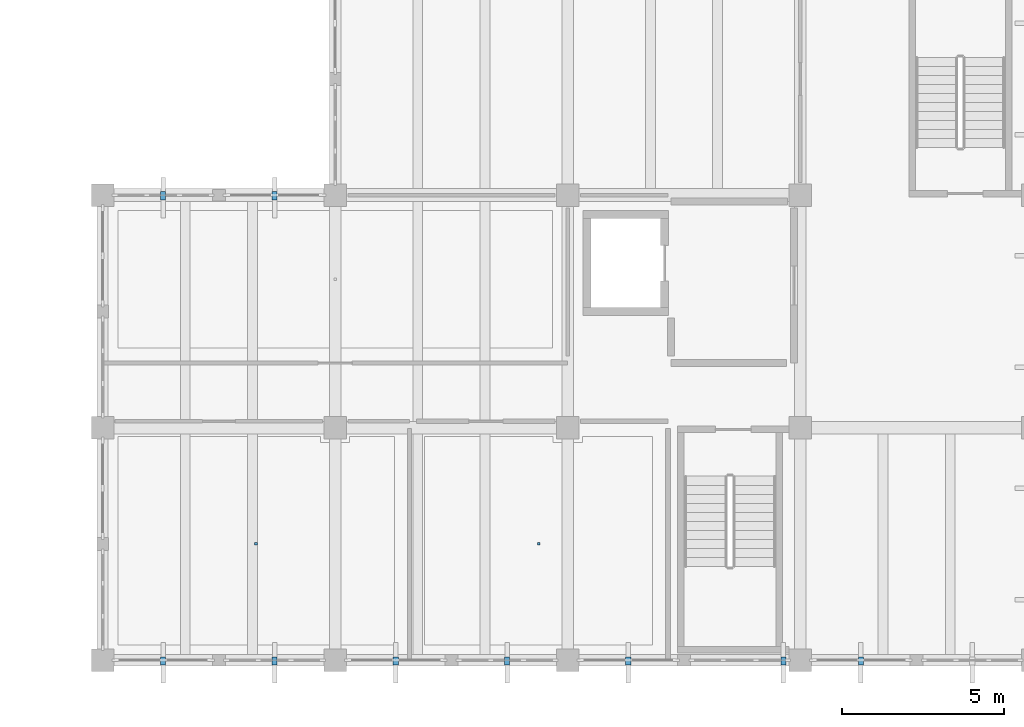
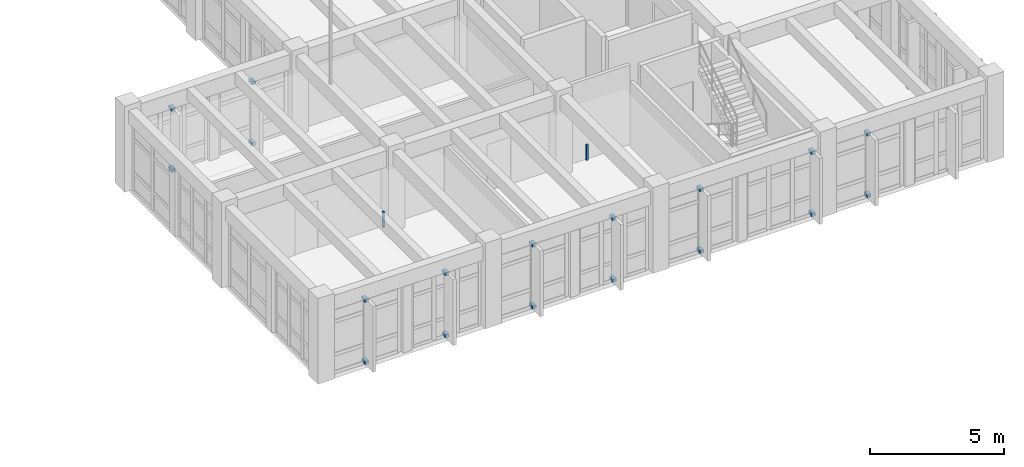
# One storey, part 49 of 54: 20 discrete accessories.
"""IFC4 building model written with IfcOpenShell, lengths in metres."""

from ifc_helpers import new_model, si_unit, direction, frame, origin, origin_2d, place, context, subcontext, project, spatial, rectangle, extrude, material, type_object, element, save


model = new_model("IFC4")

# Units and contexts
model_context = context("Model", 3, precision=1e-05, world=origin(), true_north=direction((0.0, 1.0)))
body_context = subcontext(model_context, "Body", "Model", "MODEL_VIEW")
ifc_project = project(units=[si_unit("LENGTHUNIT", "METRE"), si_unit("AREAUNIT", "SQUARE_METRE"), si_unit("VOLUMEUNIT", "CUBIC_METRE"), si_unit("PLANEANGLEUNIT", "RADIAN"), si_unit("MASSUNIT", "GRAM", prefix="KILO")], contexts=[model_context])

# Site, building, storey
site_placement = place(None, origin())
site = spatial("IfcSite", under=ifc_project, at=site_placement, CompositionType="ELEMENT")
building_placement = place(site_placement, origin())
building = spatial("IfcBuilding", under=site, at=building_placement, Name="Koriwan Promenade Central Fire Station", CompositionType="ELEMENT")
storey_placement = place(building_placement, frame((0.0, 0.0, 9.60009765625)))
storey = spatial("IfcBuildingStorey", under=building, at=storey_placement, Name="L02", CompositionType="ELEMENT", Elevation=9.60009765625)

# Discrete accessories
ifc_material = material(Name="Steel ASTM A572 Grade 50", Category="steel")
discrete_accessory_type_1 = type_object("IfcDiscreteAccessoryType", Name="CeilingHanger_Bracket", PredefinedType="BRACKET", material=ifc_material)
discrete_accessory_1_placement = place(storey_placement, frame((148.75, 3.610107421875, 2.955078125), z_axis=(0.0, 0.0, 1.0), x_axis=(1.0, 0.0, 0.0)))
element("IfcDiscreteAccessory", 1, at=discrete_accessory_1_placement, inside=storey, type_object=discrete_accessory_type_1, Name="Operations Directorate Office acoustic ceiling seismic hanger", PredefinedType="BRACKET", context=body_context, shape_type="SweptSolid", body=[
    extrude(rectangle(XDim=0.080078125, YDim=0.080078125, at=origin_2d()), origin(), (0.0, 0.0, 1.0), 0.719970703125),
])
discrete_accessory_2_placement = place(storey_placement, frame((157.5, 3.610107421875, 2.954833984375), z_axis=(0.0, 0.0, 1.0), x_axis=(1.0, 0.0, 0.0)))
element("IfcDiscreteAccessory", 2, at=discrete_accessory_2_placement, inside=storey, type_object=discrete_accessory_type_1, Name="Multi-Agency Coordination Briefing Room acoustic ceiling seismic hanger", PredefinedType="BRACKET", context=body_context, shape_type="SweptSolid", body=[
    extrude(rectangle(XDim=0.080078125, YDim=0.080078125, at=origin_2d()), origin(), (0.0, 0.0, 1.0), 0.7099609375),
])
discrete_accessory_type_2 = type_object("IfcDiscreteAccessoryType", Name="FacadeBracket_Fin", PredefinedType="BRACKET", material=ifc_material)
for number, where, z_axis, x_axis, name in (
    (3, (167.47509765625, -0.02001953125, 0.02001953125), (0.0, 0.0, 1.0), (0.0, -1.0, 0.0), "Solar fin outrigger bracket 060-BOT"),
    (4, (167.47509765625, -0.02001953125, 2.830078125), (0.0, 0.0, 1.0), (0.0, -1.0, 0.0), "Solar fin outrigger bracket 060-TOP"),
    (5, (165.080078125, -0.02001953125, 0.02001953125), (0.0, 0.0, 1.0), (0.0, -1.0, 0.0), "Solar fin outrigger bracket 061-BOT"),
    (6, (165.080078125, -0.02001953125, 2.830078125), (0.0, 0.0, 1.0), (0.0, -1.0, 0.0), "Solar fin outrigger bracket 061-TOP"),
    (7, (160.27490234375, -0.02001953125, 0.02001953125), (0.0, 0.0, 1.0), (0.0, -1.0, 0.0), "Solar fin outrigger bracket 062-BOT"),
    (8, (160.27490234375, -0.02001953125, 2.830078125), (0.0, 0.0, 1.0), (0.0, -1.0, 0.0), "Solar fin outrigger bracket 062-TOP"),
    (9, (156.52490234375, -0.02001953125, 0.02001953125), (0.0, 0.0, 1.0), (0.0, -1.0, 0.0), "Solar fin outrigger bracket 063-BOT"),
    (10, (156.52490234375, -0.02001953125, 2.830078125), (0.0, 0.0, 1.0), (0.0, -1.0, 0.0), "Solar fin outrigger bracket 063-TOP"),
    (11, (153.074951171875, -0.02001953125, 0.02001953125), (0.0, 0.0, 1.0), (0.0, -1.0, 0.0), "Solar fin outrigger bracket 064-BOT"),
    (12, (153.074951171875, -0.02001953125, 2.830078125), (0.0, 0.0, 1.0), (0.0, -1.0, 0.0), "Solar fin outrigger bracket 064-TOP"),
    (13, (149.324951171875, -0.02001953125, 0.02001953125), (0.0, 0.0, 1.0), (0.0, -1.0, 0.0), "Solar fin outrigger bracket 065-BOT"),
    (14, (149.324951171875, -0.02001953125, 2.83984375), (0.0, 0.0, 1.0), (0.0, -1.0, 0.0), "Solar fin outrigger bracket 065-TOP"),
    (15, (145.875, -0.02001953125, 0.02001953125), (0.0, 0.0, 1.0), (0.0, -1.0, 0.0), "Solar fin outrigger bracket 066-BOT"),
    (16, (145.875, -0.02001953125, 2.83984375), (0.0, 0.0, 1.0), (0.0, -1.0, 0.0), "Solar fin outrigger bracket 066-TOP"),
    (17, (145.875, 14.3798828125, 0.02001953125), (0.0, 0.0, 1.0), (0.0, -1.0, 0.0), "Solar fin outrigger bracket 067-BOT"),
    (18, (145.875, 14.3798828125, 2.7900390625), (0.0, 0.0, 1.0), (0.0, -1.0, 0.0), "Solar fin outrigger bracket 067-TOP"),
    (19, (149.324951171875, 14.3798828125, 0.02001953125), (0.0, 0.0, 1.0), (0.0, -1.0, 0.0), "Solar fin outrigger bracket 068-BOT"),
    (20, (149.324951171875, 14.3798828125, 2.7900390625), (0.0, 0.0, 1.0), (0.0, -1.0, 0.0), "Solar fin outrigger bracket 068-TOP"),
):
    element("IfcDiscreteAccessory", number, at=place(storey_placement, frame(where, z_axis=z_axis, x_axis=x_axis)), inside=storey, type_object=discrete_accessory_type_2, Name=name, PredefinedType="BRACKET", context=body_context, shape_type="SweptSolid", body=[
        extrude(rectangle(XDim=0.260009765625, YDim=0.159912109375, at=origin_2d()), origin(), (0.0, 0.0, 1.0), 0.139892578125),
    ])

save(model, "model.ifc")
